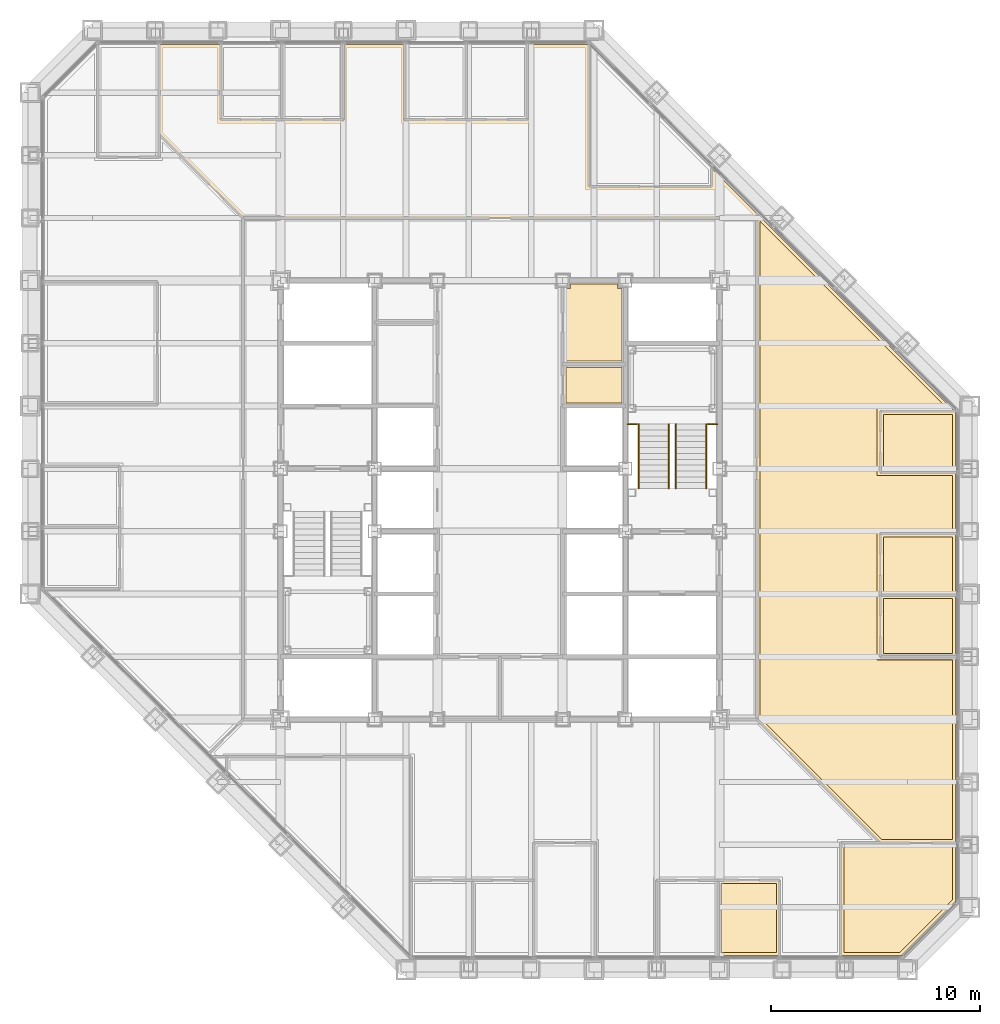
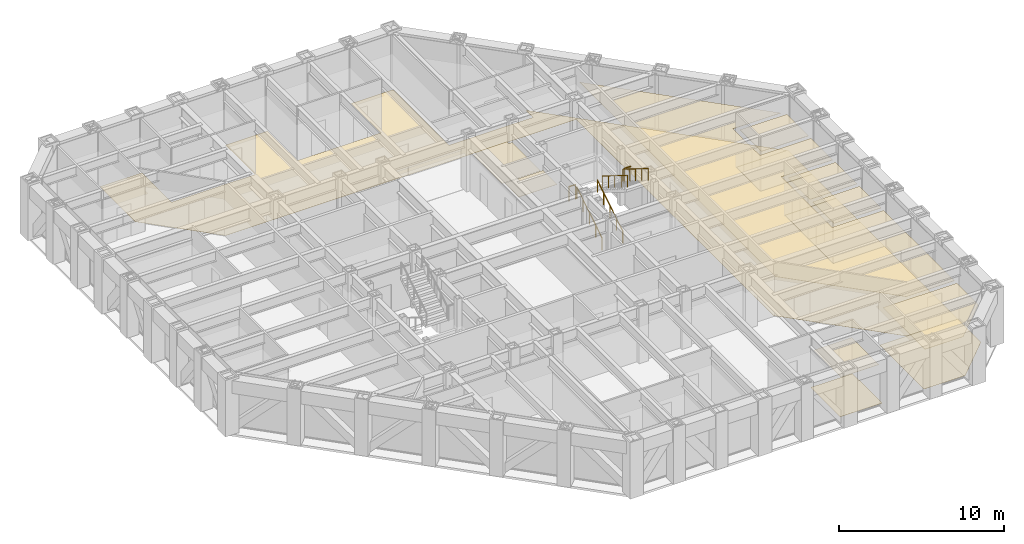
# One storey, part 16 of 17: 14 coverings, 6 railings.
"""IFC4 building model written with IfcOpenShell, lengths in metres."""

from ifc_helpers import new_model, si_unit, direction, frame, origin, origin_2d, place, context, subcontext, project, spatial, polyline, circle, outline, extrude, material, layer, layer_set, type_object, element, save


model = new_model("IFC4")

# Units and contexts
model_context = context("Model", 3, precision=1e-05, world=origin(), true_north=direction((0.0, 1.0)))
body_context = subcontext(model_context, "Body", "Model", "MODEL_VIEW")
ifc_project = project(units=[si_unit("LENGTHUNIT", "METRE"), si_unit("AREAUNIT", "SQUARE_METRE"), si_unit("VOLUMEUNIT", "CUBIC_METRE"), si_unit("PLANEANGLEUNIT", "RADIAN"), si_unit("MASSUNIT", "GRAM", prefix="KILO")], contexts=[model_context])

# Site, building, storey
site_placement = place(None, origin())
site = spatial("IfcSite", under=ifc_project, at=site_placement, CompositionType="ELEMENT")
building_placement = place(site_placement, origin())
building = spatial("IfcBuilding", under=site, at=building_placement, Name="Chuquiago Exchange Tower", CompositionType="ELEMENT")
storey_placement = place(building_placement, frame((0.0, 0.0, 169.800048828125)))
storey = spatial("IfcBuildingStorey", under=building, at=storey_placement, Name="L37", CompositionType="ELEMENT", Elevation=169.800048828125)

# Coverings
ifc_material_1 = material(Name="Mineral fibre tile, 600 x 600, on pale metal grid", Category="mineral fibre")
ifc_layer_1 = layer(ifc_material_1, 0.02001953125)
ifc_layer_set_1 = layer_set([ifc_layer_1], Name="CL1 suspended tile ceiling 20")
covering_type_1 = type_object("IfcCoveringType", Name="CL1 suspended tile ceiling 20", PredefinedType="CEILING", material=ifc_layer_set_1)
covering_1_placement = place(storey_placement, frame((0.0, 0.0, 2.800048828125)))
element("IfcCovering", 1, at=covering_1_placement, inside=storey, type_object=covering_type_1, Name="Ceiling Focus room", PredefinedType="CEILING", context=body_context, shape_type="SweptSolid", body=[
    extrude(outline(polyline([(33.087890625, 4.14990234375), (35.7255859375, 4.14990234375), (35.7255859375, 0.85009765625), (33.087890625, 0.85009765625), (33.087890625, 4.14990234375)])), origin(), (0.0, 0.0, 1.0), 0.02001953125),
])
covering_2_placement = place(storey_placement, frame((0.0, 0.0, 2.800048828125)))
element("IfcCovering", 2, at=covering_2_placement, inside=storey, type_object=covering_type_1, Name="Ceiling Meeting room", PredefinedType="CEILING", context=body_context, shape_type="SweptSolid", body=[
    extrude(outline(polyline([(41.64794921875, 0.85009765625), (38.963623046875, 0.85009765625), (38.963623046875, 5.949951171875), (44.14990234375, 5.949951171875), (44.14990234375, 3.35205078125), (41.64794921875, 0.85009765625)])), origin(), (0.0, 0.0, 1.0), 0.02001953125),
])
covering_3_placement = place(storey_placement, frame((0.0, 0.0, 2.800048828125)))
element("IfcCovering", 3, at=covering_3_placement, inside=storey, type_object=covering_type_1, Name="Ceiling Focus room", PredefinedType="CEILING", context=body_context, shape_type="SweptSolid", body=[
    extrude(outline(polyline([(40.85009765625, 15.14990234375), (40.85009765625, 17.787841796875), (44.14990234375, 17.787841796875), (44.14990234375, 15.14990234375), (40.85009765625, 15.14990234375)])), origin(), (0.0, 0.0, 1.0), 0.02001953125),
])
covering_4_placement = place(storey_placement, frame((0.0, 0.0, 2.800048828125)))
element("IfcCovering", 4, at=covering_4_placement, inside=storey, type_object=covering_type_1, Name="Ceiling Focus room", PredefinedType="CEILING", context=body_context, shape_type="SweptSolid", body=[
    extrude(outline(polyline([(40.85009765625, 18.087890625), (40.85009765625, 20.7255859375), (44.14990234375, 20.7255859375), (44.14990234375, 18.087890625), (40.85009765625, 18.087890625)])), origin(), (0.0, 0.0, 1.0), 0.02001953125),
])
covering_5_placement = place(storey_placement, frame((0.0, 0.0, 2.800048828125)))
element("IfcCovering", 5, at=covering_5_placement, inside=storey, type_object=covering_type_1, Name="Ceiling Focus room", PredefinedType="CEILING", context=body_context, shape_type="SweptSolid", body=[
    extrude(outline(polyline([(44.14990234375, 23.963623046875), (40.85009765625, 23.963623046875), (40.85009765625, 26.6015625), (44.14990234375, 26.6015625), (44.14990234375, 23.963623046875)])), origin(), (0.0, 0.0, 1.0), 0.02001953125),
])
covering_6_placement = place(storey_placement, frame((0.0, 0.0, 2.800048828125)))
element("IfcCovering", 6, at=covering_6_placement, inside=storey, type_object=covering_type_1, Name="Ceiling Open office east", PredefinedType="CEILING", context=body_context, shape_type="SweptSolid", body=[
    extrude(outline(polyline([(43.896484375, 26.901611328125), (40.550048828125, 26.901611328125), (40.550048828125, 23.66357421875), (44.14990234375, 23.66357421875), (44.14990234375, 21.025634765625), (40.550048828125, 21.025634765625), (40.550048828125, 14.85009765625), (44.14990234375, 14.85009765625), (44.14990234375, 6.25), (40.7626953125, 6.25), (34.949951171875, 12.0625), (34.949951171875, 35.847900390625), (43.896484375, 26.901611328125)])), origin(), (0.0, 0.0, 1.0), 0.02001953125),
])
covering_7_placement = place(storey_placement, frame((0.0, 0.0, 2.800048828125)))
element("IfcCovering", 7, at=covering_7_placement, inside=storey, type_object=covering_type_1, Name="Ceiling First aid room", PredefinedType="CEILING", context=body_context, shape_type="SweptSolid", body=[
    extrude(outline(polyline([(25.64990234375, 27.14990234375), (25.64990234375, 28.85009765625), (28.35009765625, 28.85009765625), (28.35009765625, 27.14990234375), (25.64990234375, 27.14990234375)])), origin(), (0.0, 0.0, 1.0), 0.02001953125),
])
ifc_material_2 = material(Name="Moisture resistant plasterboard on metal frame", Category="gypsum")
ifc_layer_2 = layer(ifc_material_2, 0.014892578125)
ifc_layer_set_2 = layer_set([ifc_layer_2], Name="CL2 moisture resistant ceiling 15")
covering_type_2 = type_object("IfcCoveringType", Name="CL2 moisture resistant ceiling 15", PredefinedType="CEILING", material=ifc_layer_set_2)
covering_8_placement = place(storey_placement, frame((0.0, 0.0, 2.599853515625)))
element("IfcCovering", 8, at=covering_8_placement, inside=storey, type_object=covering_type_2, Name="Ceiling Female WC", PredefinedType="CEILING", context=body_context, shape_type="SweptSolid", body=[
    extrude(outline(polyline([(25.64990234375, 29.14990234375), (25.64990234375, 32.625), (25.875, 32.625), (25.875, 32.85009765625), (28.125, 32.85009765625), (28.125, 32.625), (28.35009765625, 32.625), (28.35009765625, 29.14990234375), (25.64990234375, 29.14990234375)])), origin(), (0.0, 0.0, 1.0), 0.01513671875),
])
ifc_material_3 = material(Name="Carpet tile, 500 x 500, on the floor slab", Category="textile")
ifc_layer_3 = layer(ifc_material_3, 0.010009765625)
ifc_layer_set_3 = layer_set([ifc_layer_3], Name="FL1 carpet tile 10")
covering_type_3 = type_object("IfcCoveringType", Name="FL1 carpet tile 10", PredefinedType="FLOORING", material=ifc_layer_set_3)
covering_9_placement = place(storey_placement, origin())
element("IfcCovering", 9, at=covering_9_placement, inside=storey, type_object=covering_type_3, Name="Floor finish Focus room", PredefinedType="FLOORING", context=body_context, shape_type="SweptSolid", body=[
    extrude(outline(polyline([(32.93798828125, 0.699951171875), (32.93798828125, 4.300048828125), (35.875732421875, 4.300048828125), (35.875732421875, 0.699951171875), (32.93798828125, 0.699951171875)])), origin(), (0.0, 0.0, 1.0), 0.010009765625),
])
covering_10_placement = place(storey_placement, origin())
element("IfcCovering", 10, at=covering_10_placement, inside=storey, type_object=covering_type_3, Name="Floor finish Meeting room", PredefinedType="FLOORING", context=body_context, shape_type="SweptSolid", body=[
    extrude(outline(polyline([(44.300048828125, 3.289794921875), (41.710205078125, 0.699951171875), (38.813720703125, 0.699951171875), (38.813720703125, 6.10009765625), (44.300048828125, 6.10009765625), (44.300048828125, 3.289794921875)])), origin(), (0.0, 0.0, 1.0), 0.010009765625),
])
covering_11_placement = place(storey_placement, origin())
element("IfcCovering", 11, at=covering_11_placement, inside=storey, type_object=covering_type_3, Name="Floor finish Focus room", PredefinedType="FLOORING", context=body_context, shape_type="SweptSolid", body=[
    extrude(outline(polyline([(44.300048828125, 15.0), (40.699951171875, 15.0), (40.699951171875, 17.93798828125), (44.300048828125, 17.93798828125), (44.300048828125, 15.0)])), origin(), (0.0, 0.0, 1.0), 0.010009765625),
])
covering_12_placement = place(storey_placement, origin())
element("IfcCovering", 12, at=covering_12_placement, inside=storey, type_object=covering_type_3, Name="Floor finish Focus room", PredefinedType="FLOORING", context=body_context, shape_type="SweptSolid", body=[
    extrude(outline(polyline([(44.300048828125, 17.93798828125), (40.699951171875, 17.93798828125), (40.699951171875, 20.875732421875), (44.300048828125, 20.875732421875), (44.300048828125, 17.93798828125)])), origin(), (0.0, 0.0, 1.0), 0.010009765625),
])
covering_13_placement = place(storey_placement, origin())
element("IfcCovering", 13, at=covering_13_placement, inside=storey, type_object=covering_type_3, Name="Floor finish Focus room", PredefinedType="FLOORING", context=body_context, shape_type="SweptSolid", body=[
    extrude(outline(polyline([(44.300048828125, 26.710205078125), (44.300048828125, 23.813720703125), (40.699951171875, 23.813720703125), (40.699951171875, 26.75146484375), (44.258544921875, 26.75146484375), (44.300048828125, 26.710205078125)])), origin(), (0.0, 0.0, 1.0), 0.010009765625),
])
covering_14_placement = place(storey_placement, origin())
element("IfcCovering", 14, at=covering_14_placement, inside=storey, type_object=covering_type_3, Name="Floor finish Open office east", PredefinedType="FLOORING", context=body_context, shape_type="SweptSolid", body=[
    extrude(outline(polyline([(6.186279296875, 44.300048828125), (9.124267578125, 44.300048828125), (9.124267578125, 40.699951171875), (15.0, 40.699951171875), (15.0, 44.300048828125), (17.93798828125, 44.300048828125), (17.93798828125, 40.699951171875), (23.813720703125, 40.699951171875), (23.813720703125, 44.300048828125), (26.710205078125, 44.300048828125), (26.75146484375, 44.258544921875), (26.75146484375, 37.5), (32.63427734375, 37.5), (32.63427734375, 38.375732421875), (44.258544921875, 26.75146484375), (40.699951171875, 26.75146484375), (40.699951171875, 23.813720703125), (44.300048828125, 23.813720703125), (44.300048828125, 20.875732421875), (40.699951171875, 20.875732421875), (40.699951171875, 15.0), (44.300048828125, 15.0), (44.300048828125, 6.10009765625), (40.70068359375, 6.10009765625), (34.800048828125, 12.00048828125), (34.800048828125, 36.0), (10.200439453125, 36.0), (6.186279296875, 40.014404296875), (6.186279296875, 44.300048828125)])), origin(), (0.0, 0.0, 1.0), 0.010009765625),
])

# Railings
ifc_material_4 = material(Name="Pale metal guard with safety glass infill", Category="glass")
railing_type_1 = type_object("IfcRailingType", Name="GR1 guard 1100", PredefinedType="GUARDRAIL", material=ifc_material_4)
for number, where, name in (
    (15, (28.60009765625, 26.1298828125, 2.099853515625), "Guard ST2 L37 landing 2"),
    (16, (32.445068359375, 26.1298828125, 2.099853515625), "Guard ST2 L37 landing 2"),
):
    element("IfcRailing", number, at=place(storey_placement, frame(where)), inside=storey, type_object=railing_type_1, Name=name, PredefinedType="GUARDRAIL", context=body_context, shape_type="SweptSolid", body=[
        extrude(circle(Radius=0.02392578125, at=origin_2d()), frame((0.0, 0.0, 1.076171875), z_axis=(1.0, 0.0, 0.0), x_axis=(0.0, 1.0, 0.0)), (0.0, 0.0, 1.0), 0.454833984375),
        extrude(circle(Radius=0.02099609375, at=origin_2d()), origin(), (0.0, 0.0, 1.0), 1.052001953125),
        extrude(circle(Radius=0.02099609375, at=origin_2d()), frame((0.454833984375, 0.0, 0.0)), (0.0, 0.0, 1.0), 1.052001953125),
    ])
ifc_material_5 = material(Name="Pale metal handrail", Category="steel")
railing_type_2 = type_object("IfcRailingType", Name="HR1 handrail 900", PredefinedType="HANDRAIL", material=ifc_material_5)
for number, where, name in (
    (17, (30.5849609375, 23.050048828125, 0.175048828125), "Handrail ST2 L37 flight 1"),
    (18, (29.135009765625, 23.050048828125, 0.175048828125), "Handrail ST2 L37 flight 1"),
):
    element("IfcRailing", number, at=place(storey_placement, frame(where)), inside=storey, type_object=railing_type_2, Name=name, PredefinedType="HANDRAIL", context=body_context, shape_type="SweptSolid", body=[
        extrude(circle(Radius=0.02392578125, at=origin_2d()), frame((0.0, 0.0, 0.8759765625), z_axis=(0.0, 0.848009633417, 0.529980812513), x_axis=(-1.0, 0.0, 0.0)), (0.0, 0.0, 1.0), 3.6318359375),
        extrude(circle(Radius=0.02099609375, at=origin_2d()), origin(), (0.0, 0.0, 1.0), 0.851806640625),
        extrude(circle(Radius=0.02099609375, at=origin_2d()), frame((0.0, 0.77001953125, 0.481201171875)), (0.0, 0.0, 1.0), 0.851806640625),
        extrude(circle(Radius=0.02099609375, at=origin_2d()), frame((0.0, 1.5400390625, 0.96240234375)), (0.0, 0.0, 1.0), 0.851806640625),
        extrude(circle(Radius=0.02099609375, at=origin_2d()), frame((0.0, 2.309814453125, 1.443603515625)), (0.0, 0.0, 1.0), 0.851806640625),
        extrude(circle(Radius=0.02099609375, at=origin_2d()), frame((0.0, 3.079833984375, 1.9248046875)), (0.0, 0.0, 1.0), 0.851806640625),
    ])
for number, where, name in (
    (19, (30.9150390625, 26.1298828125, 2.27490234375), "Handrail ST2 L37 flight 2"),
    (20, (32.364990234375, 26.1298828125, 2.27490234375), "Handrail ST2 L37 flight 2"),
):
    element("IfcRailing", number, at=place(storey_placement, frame(where)), inside=storey, type_object=railing_type_2, Name=name, PredefinedType="HANDRAIL", context=body_context, shape_type="SweptSolid", body=[
        extrude(circle(Radius=0.02392578125, at=origin_2d()), frame((0.0, 0.0, 0.8759765625), z_axis=(0.0, -0.847979421464, 0.530029150871), x_axis=(1.0, 0.0, 0.0)), (0.0, 0.0, 1.0), 3.632080078125),
        extrude(circle(Radius=0.02099609375, at=origin_2d()), origin(), (0.0, 0.0, 1.0), 0.851806640625),
        extrude(circle(Radius=0.02099609375, at=origin_2d()), frame((0.0, -0.77001953125, 0.481201171875)), (0.0, 0.0, 1.0), 0.851806640625),
        extrude(circle(Radius=0.02099609375, at=origin_2d()), frame((0.0, -1.5400390625, 0.96240234375)), (0.0, 0.0, 1.0), 0.851806640625),
        extrude(circle(Radius=0.02099609375, at=origin_2d()), frame((0.0, -2.309814453125, 1.44384765625)), (0.0, 0.0, 1.0), 0.851806640625),
        extrude(circle(Radius=0.02099609375, at=origin_2d()), frame((0.0, -3.079833984375, 1.925048828125)), (0.0, 0.0, 1.0), 0.851806640625),
    ])

save(model, "model.ifc")
